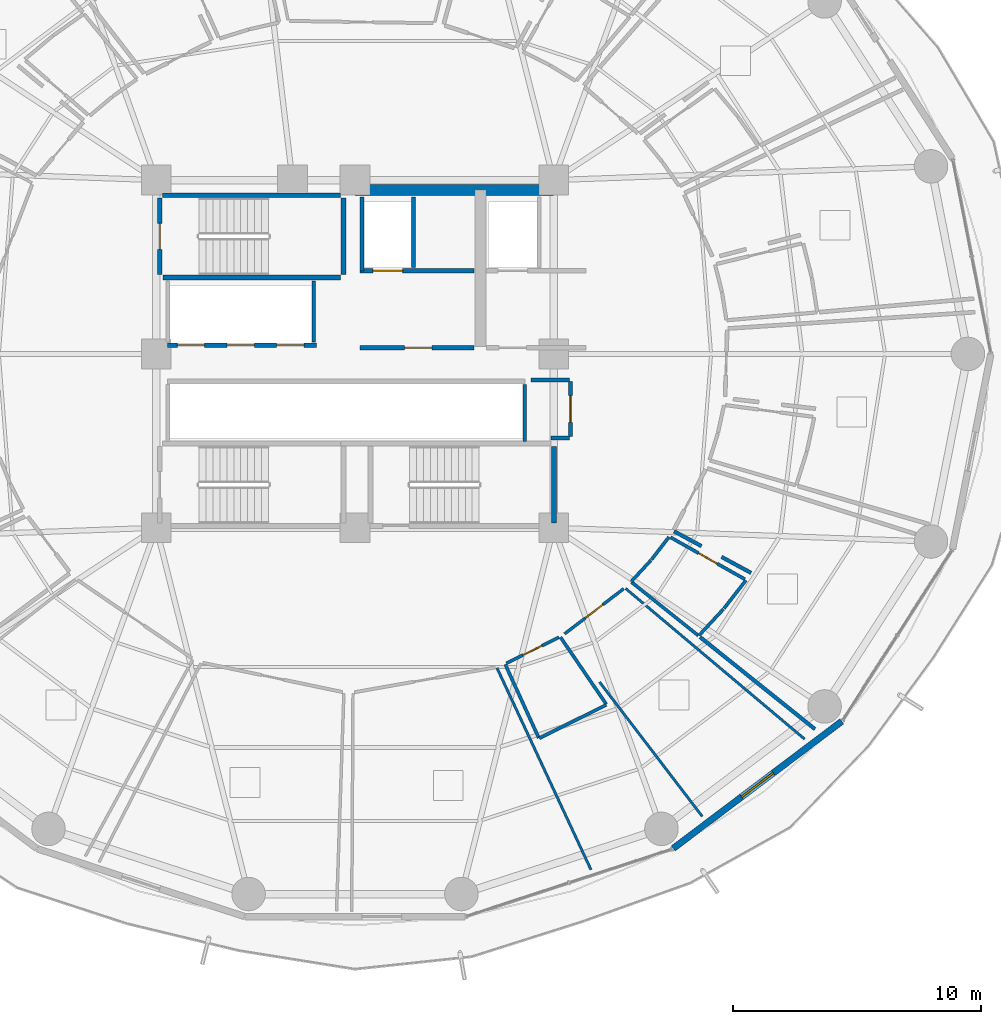
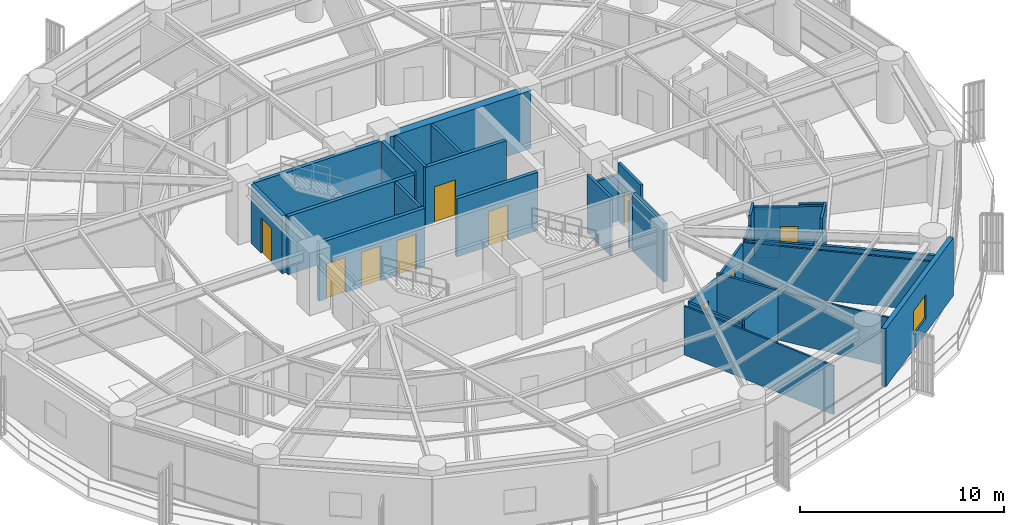
# One storey, part 29 of 36: 34 walls, 10 doors, 1 window, 11 openings.
"""IFC4 building model written with IfcOpenShell, lengths in metres."""

from ifc_helpers import new_model, si_unit, direction, frame, frame_2d, origin, place, context, subcontext, project, spatial, rectangle, extrude, material, layer, layer_set, type_object, element, fill, save


model = new_model("IFC4")

# Units and contexts
model_context = context("Model", 3, precision=1e-05, world=origin(), true_north=direction((0.0, 1.0)))
body_context = subcontext(model_context, "Body", "Model", "MODEL_VIEW")
ifc_project = project(units=[si_unit("LENGTHUNIT", "METRE"), si_unit("AREAUNIT", "SQUARE_METRE"), si_unit("VOLUMEUNIT", "CUBIC_METRE"), si_unit("PLANEANGLEUNIT", "RADIAN"), si_unit("MASSUNIT", "GRAM", prefix="KILO")], contexts=[model_context])

# Site, building, storey
site_placement = place(None, origin())
site = spatial("IfcSite", under=ifc_project, at=site_placement, CompositionType="ELEMENT")
building_placement = place(site_placement, origin())
building = spatial("IfcBuilding", under=site, at=building_placement, Name="Kelanora Arch Commons", CompositionType="ELEMENT")
storey_placement = place(building_placement, frame((0.0, 0.0, 102.60009765625)))
storey = spatial("IfcBuildingStorey", under=building, at=storey_placement, Name="L26", CompositionType="ELEMENT", Elevation=102.60009765625)

# Walls
ifc_material_1 = material(Name="Autoclaved aerated concrete blockwork with fire plaster", Category="masonry")
ifc_layer_1 = layer(ifc_material_1, 0.14990234375)
ifc_layer_set_1 = layer_set([ifc_layer_1], Name="Autoclaved aerated concrete blockwork with fire plaster")
wall_type_1 = type_object("IfcWallType", Name="W-COMP-150", PredefinedType="PARTITIONING", material=ifc_layer_set_1)
wall_1_placement = place(storey_placement, frame((74.280029296875, 61.35009765625, 0.0), z_axis=(0.0, 0.0, 1.0), x_axis=(0.0, 1.0, 0.0)))
element("IfcWall", 1, at=wall_1_placement, inside=storey, type_object=wall_type_1, Name="Firefighting Lift 1 West Shaft Wall L26", PredefinedType="PARTITIONING", context=body_context, shape_type="SweptSolid", body=[
    extrude(rectangle(XDim=2.969970703125, YDim=0.14990234375, at=frame_2d((1.48486328125, 0.0))), origin(), (0.0, 0.0, 1.0), 3.47998046875),
])
wall_2_placement = place(storey_placement, frame((76.360107421875, 61.47998046875, 0.0), z_axis=(0.0, 0.0, 1.0), x_axis=(0.0, 1.0, 0.0)))
element("IfcWall", 2, at=wall_2_placement, inside=storey, type_object=wall_type_1, Name="Firefighting Lift 1 East Shaft Wall L26", PredefinedType="PARTITIONING", context=body_context, shape_type="SweptSolid", body=[
    extrude(rectangle(XDim=2.840087890625, YDim=0.14990234375, at=frame_2d((1.419921875, 0.0))), origin(), (0.0, 0.0, 1.0), 3.47998046875),
])
wall_3_placement = place(storey_placement, frame((72.340087890625, 58.47998046875, 0.0), z_axis=(0.0, 0.0, 1.0), x_axis=(0.0, 1.0, 0.0)))
element("IfcWall", 3, at=wall_3_placement, inside=storey, type_object=wall_type_1, Name="Low-Rise Lift Bank East Wall L26", PredefinedType="PARTITIONING", context=body_context, shape_type="SweptSolid", body=[
    extrude(rectangle(XDim=2.4599609375, YDim=0.14990234375, at=frame_2d((1.22998046875, 0.0))), origin(), (0.0, 0.0, 1.0), 3.47998046875),
])
wall_4_placement = place(storey_placement, frame((80.840087890625, 54.47998046875, 0.0), z_axis=(0.0, 0.0, 1.0), x_axis=(0.0, 1.0, 0.0)))
element("IfcWall", 4, at=wall_4_placement, inside=storey, type_object=wall_type_1, Name="South Lift Bank East Wall L26", PredefinedType="PARTITIONING", context=body_context, shape_type="SweptSolid", body=[
    extrude(rectangle(XDim=2.2900390625, YDim=0.14990234375, at=frame_2d((1.14501953125, 0.0))), origin(), (0.0, 0.0, 1.0), 3.47998046875),
])

# Wall, opening, door
wall_5_placement = place(storey_placement, frame((82.679931640625, 54.679931640625, 0.0), z_axis=(0.0, 0.0, 1.0), x_axis=(0.0, 1.0, 0.0)))
wall_5 = element("IfcWall", 5, at=wall_5_placement, inside=storey, type_object=wall_type_1, Name="Core Housekeeping Store L26 Entry Partition", PredefinedType="PARTITIONING", context=body_context, shape_type="SweptSolid", body=[
    extrude(rectangle(XDim=2.2099609375, YDim=0.14990234375, at=frame_2d((1.10498046875, 0.0))), origin(), (0.0, 0.0, 1.0), 3.47998046875),
])
opening_1_placement = place(wall_5_placement, frame((0.56494140625, 0.0, 0.0)))
opening_1 = element("IfcOpeningElement", 6, at=opening_1_placement, cuts=wall_5, Name="Opening D-PLT1", PredefinedType="OPENING", context=body_context, shape_type="SweptSolid", body=[
    extrude(rectangle(XDim=1.080078125, YDim=2.10009765625, at=frame_2d((0.5400390625, 1.050048828125))), frame((0.0, 0.0849609375, 0.0), z_axis=(0.0, -1.0, 0.0), x_axis=(1.0, 0.0, 0.0)), (0.0, 0.0, 1.0), 0.169921875),
])
ifc_material_2 = material(Name="Galvanised steel plant and riser fire door", Category="steel")
door_type_1 = type_object("IfcDoorType", Name="D-PLT-110", OperationType="NOTDEFINED", PredefinedType="DOOR", material=ifc_material_2)
door_1_placement = place(opening_1_placement, origin())
door_1 = element("IfcDoor", 7, at=door_1_placement, inside=storey, type_object=door_type_1, Name="Core Housekeeping Store L26 Door", OperationType="SINGLE_SWING_RIGHT", OverallHeight=2.10009765625, OverallWidth=1.080078125, PredefinedType="DOOR", context=body_context, shape_type="SweptSolid", body=[
    extrude(rectangle(XDim=1.080078125, YDim=2.10009765625, at=frame_2d((0.5400390625, 1.050048828125))), frame((0.0, 0.02490234375, 0.0), z_axis=(0.0, -1.0, 0.0), x_axis=(1.0, 0.0, 0.0)), (0.0, 0.0, 1.0), 0.050048828125),
])
fill(opening_1, door_1)

# Walls
wall_6_placement = place(storey_placement, frame((81.89990234375, 54.6201171875, 0.0), z_axis=(0.0, 0.0, 1.0), x_axis=(1.0, 0.0, 0.0)))
element("IfcWall", 8, at=wall_6_placement, inside=storey, type_object=wall_type_1, Name="Core Housekeeping Store L26 Enclosure Partition 1", PredefinedType="PARTITIONING", context=body_context, shape_type="SweptSolid", body=[
    extrude(rectangle(XDim=0.739990234375, YDim=0.14990234375, at=frame_2d((0.3701171875, 0.0))), origin(), (0.0, 0.0, 1.0), 2.77490234375),
])
wall_7_placement = place(storey_placement, frame((82.639892578125, 56.949951171875, 0.0), z_axis=(0.0, 0.0, 1.0), x_axis=(-1.0, 0.0, 0.0)))
element("IfcWall", 9, at=wall_7_placement, inside=storey, type_object=wall_type_1, Name="Core Housekeeping Store L26 Enclosure Partition 3", PredefinedType="PARTITIONING", context=body_context, shape_type="SweptSolid", body=[
    extrude(rectangle(XDim=1.5498046875, YDim=0.14990234375, at=frame_2d((0.77490234375, 0.0))), origin(), (0.0, 0.0, 1.0), 2.77490234375),
])
wall_8_placement = place(storey_placement, frame((92.518798828125, 42.89599609375, 0.0), z_axis=(0.0, 0.0, 1.0), x_axis=(-0.780422060226, 0.625253075093, 0.0)))
element("IfcWall", 10, at=wall_8_placement, inside=storey, type_object=wall_type_1, Name="Co-Living Studio L26-14 Enclosure Partition 5", PredefinedType="PARTITIONING", context=body_context, shape_type="SweptSolid", body=[
    extrude(rectangle(XDim=5.920654296875, YDim=0.14990234375, at=frame_2d((2.96044921875, 0.0))), origin(), (0.0, 0.0, 1.0), 2.974853515625),
])
wall_9_placement = place(storey_placement, frame((89.94873046875, 49.18505859375, 0.0), z_axis=(0.0, 0.0, 1.0), x_axis=(-0.879994582466, 0.474983720595, 0.0)))
element("IfcWall", 11, at=wall_9_placement, inside=storey, type_object=wall_type_1, Name="Co-Living Studio L26-14 Enclosure Partition 7", PredefinedType="PARTITIONING", context=body_context, shape_type="SweptSolid", body=[
    extrude(rectangle(XDim=1.350341796875, YDim=0.14990234375, at=frame_2d((0.67529296875, 0.0))), origin(), (0.0, 0.0, 1.0), 3.1748046875),
])
wall_10_placement = place(storey_placement, frame((87.95068359375, 50.263427734375, 0.0), z_axis=(0.0, 0.0, 1.0), x_axis=(-0.880026054437, 0.474925408367, 0.0)))
element("IfcWall", 12, at=wall_10_placement, inside=storey, type_object=wall_type_1, Name="Co-Living Studio L26-14 Enclosure Partition 7", PredefinedType="PARTITIONING", context=body_context, shape_type="SweptSolid", body=[
    extrude(rectangle(XDim=1.251708984375, YDim=0.14990234375, at=frame_2d((0.6259765625, 0.0))), origin(), (0.0, 0.0, 1.0), 2.9248046875),
])
ifc_material_3 = material(Name="Concrete C60/75", Category="concrete")
ifc_layer_2 = layer(ifc_material_3, 0.449951171875)
ifc_layer_set_2 = layer_set([ifc_layer_2], Name="Concrete C60/75")
wall_type_2 = type_object("IfcWallType", Name="W-CORE-450", PredefinedType="SHEAR", material=ifc_layer_set_2)
wall_11_placement = place(storey_placement, frame((74.0, 64.60009765625, 0.0), z_axis=(0.0, 0.0, 1.0), x_axis=(1.0, 0.0, 0.0)))
element("IfcWall", 13, at=wall_11_placement, inside=storey, type_object=wall_type_2, Name="Core Shear Spine L26-CN-E", PredefinedType="SHEAR", context=body_context, shape_type="SweptSolid", body=[
    extrude(rectangle(XDim=8.0, YDim=0.449951171875, at=frame_2d((4.0, 0.0))), origin(), (0.0, 0.0, 1.0), 3.489990234375),
])

# Wall, opening, window
ifc_material_4 = material(Name="Precast concrete C40/50 with terracotta rainscreen", Category="masonry")
ifc_layer_3 = layer(ifc_material_4, 0.260009765625)
ifc_layer_set_3 = layer_set([ifc_layer_3], Name="Precast concrete C40/50 with terracotta rainscreen")
wall_type_3 = type_object("IfcWallType", Name="W-EXT-TC", PredefinedType="SOLIDWALL", material=ifc_layer_set_3)
wall_12_placement = place(storey_placement, frame((86.81201171875, 38.09033203125, 0.0), z_axis=(0.0, 0.0, 1.0), x_axis=(0.798501507879, 0.601992808857, 0.0)))
wall_12 = element("IfcWall", 14, at=wall_12_placement, inside=storey, type_object=wall_type_3, Name="Terracotta Exterior Wall L26-B15", PredefinedType="SOLIDWALL", context=body_context, shape_type="SweptSolid", body=[
    extrude(rectangle(XDim=8.499267578125, YDim=0.260009765625, at=frame_2d((4.24951171875, 0.0))), origin(), (0.0, 0.0, 1.0), 3.474853515625),
])
opening_2_placement = place(wall_12_placement, frame((3.449951171875, 0.0, 0.85009765625)))
opening_2 = element("IfcOpeningElement", 15, at=opening_2_placement, cuts=wall_12, Name="Opening WN-01", PredefinedType="OPENING", context=body_context, shape_type="SweptSolid", body=[
    extrude(rectangle(XDim=1.60009765625, YDim=1.449951171875, at=frame_2d((0.800048828125, 0.72509765625))), frame((0.0, 0.14013671875, 0.0), z_axis=(0.0, -1.0, 0.0), x_axis=(1.0, 0.0, 0.0)), (0.0, 0.0, 1.0), 0.280029296875),
])
ifc_material_5 = material(Name="Terracotta-anodised aluminium frame with operable low-E glazing", Category="masonry")
window_type = type_object("IfcWindowType", Name="WIN-CL-18", PartitioningType="DOUBLE_PANEL_VERTICAL", PredefinedType="WINDOW", material=ifc_material_5)
window_placement = place(opening_2_placement, origin())
window = element("IfcWindow", 16, at=window_placement, inside=storey, type_object=window_type, Name="Co-Living Operable Window L26-B15", OverallHeight=1.449951171875, OverallWidth=1.60009765625, PartitioningType="SINGLE_PANEL", PredefinedType="WINDOW", context=body_context, shape_type="SweptSolid", body=[
    extrude(rectangle(XDim=1.60009765625, YDim=1.449951171875, at=frame_2d((0.800048828125, 0.72509765625))), frame((0.0, 0.030029296875, 0.0), z_axis=(0.0, -1.0, 0.0), x_axis=(1.0, 0.0, 0.0)), (0.0, 0.0, 1.0), 0.06005859375),
])
fill(opening_2, window)

# Wall, opening, door
ifc_material_6 = material(Name="Concrete C40/50", Category="concrete")
ifc_layer_4 = layer(ifc_material_6, 0.199951171875)
ifc_layer_set_4 = layer_set([ifc_layer_4], Name="Concrete C40/50")
wall_type_4 = type_object("IfcWallType", Name="W-FFL-200", PredefinedType="SOLIDWALL", material=ifc_layer_set_4)
wall_13_placement = place(storey_placement, frame((74.199951171875, 61.35009765625, 0.0), z_axis=(0.0, 0.0, 1.0), x_axis=(1.0, 0.0, 0.0)))
wall_13 = element("IfcWall", 17, at=wall_13_placement, inside=storey, type_object=wall_type_4, Name="Firefighting Lift 1 Shaft Front L26", PredefinedType="SOLIDWALL", context=body_context, shape_type="SweptSolid", body=[
    extrude(rectangle(XDim=4.60009765625, YDim=0.199951171875, at=frame_2d((2.300048828125, 0.0))), origin(), (0.0, 0.0, 1.0), 3.47998046875),
])
opening_3_placement = place(wall_13_placement, frame((0.52001953125, 0.0, 0.0)))
opening_3 = element("IfcOpeningElement", 18, at=opening_3_placement, cuts=wall_13, Name="Opening LD-FF", PredefinedType="OPENING", context=body_context, shape_type="SweptSolid", body=[
    extrude(rectangle(XDim=1.199951171875, YDim=2.14990234375, at=frame_2d((0.60009765625, 1.074951171875))), frame((0.0, 0.10986328125, 0.0), z_axis=(0.0, -1.0, 0.0), x_axis=(1.0, 0.0, 0.0)), (0.0, 0.0, 1.0), 0.219970703125),
])
ifc_material_7 = material(Name="Fire-rated firefighters lift sliding landing door")
door_type_2 = type_object("IfcDoorType", Name="D-LIFT-FF", OperationType="NOTDEFINED", PredefinedType="DOOR", material=ifc_material_7)
door_2_placement = place(opening_3_placement, origin())
door_2 = element("IfcDoor", 19, at=door_2_placement, inside=storey, type_object=door_type_2, Name="Firefighting Lift LF-FF1 Landing Door L26", OperationType="DOUBLE_DOOR_SLIDING", OverallHeight=2.14990234375, OverallWidth=1.199951171875, PredefinedType="DOOR", context=body_context, shape_type="SweptSolid", body=[
    extrude(rectangle(XDim=1.199951171875, YDim=2.14990234375, at=frame_2d((0.60009765625, 1.074951171875))), frame((0.0, 0.02490234375, 0.0), z_axis=(0.0, -1.0, 0.0), x_axis=(1.0, 0.0, 0.0)), (0.0, 0.0, 1.0), 0.050048828125),
])
fill(opening_3, door_2)

wall_14_placement = place(storey_placement, frame((74.199951171875, 58.25, 0.0), z_axis=(0.0, 0.0, 1.0), x_axis=(1.0, 0.0, 0.0)))
wall_14 = element("IfcWall", 20, at=wall_14_placement, inside=storey, type_object=wall_type_4, Name="Firefighting Lobby 1 Enclosure Wall L26", PredefinedType="SOLIDWALL", context=body_context, shape_type="SweptSolid", body=[
    extrude(rectangle(XDim=4.60009765625, YDim=0.199951171875, at=frame_2d((2.300048828125, 0.0))), origin(), (0.0, 0.0, 1.0), 3.47998046875),
])
opening_4_placement = place(wall_14_placement, frame((1.800048828125, 0.0, 0.0)))
opening_4 = element("IfcOpeningElement", 21, at=opening_4_placement, cuts=wall_14, Name="Opening D-FFL1", PredefinedType="OPENING", context=body_context, shape_type="SweptSolid", body=[
    extrude(rectangle(XDim=1.10009765625, YDim=2.10009765625, at=frame_2d((0.550048828125, 1.050048828125))), frame((0.0, 0.10986328125, 0.0), z_axis=(0.0, -1.0, 0.0), x_axis=(1.0, 0.0, 0.0)), (0.0, 0.0, 1.0), 0.219970703125),
])
ifc_material_8 = material(Name="Smoke-sealed firefighting lobby fire door")
door_type_3 = type_object("IfcDoorType", Name="D-FFL-110", OperationType="NOTDEFINED", PredefinedType="DOOR", material=ifc_material_8)
door_3_placement = place(opening_4_placement, frame((1.10009765625, 0.0, 0.0), z_axis=(0.0, 0.0, 1.0), x_axis=(-1.0, 0.0, 0.0)))
door_3 = element("IfcDoor", 22, at=door_3_placement, inside=storey, type_object=door_type_3, Name="Firefighting Lobby 1 Door L26", OperationType="SINGLE_SWING_LEFT", OverallHeight=2.10009765625, OverallWidth=1.10009765625, PredefinedType="DOOR", context=body_context, shape_type="SweptSolid", body=[
    extrude(rectangle(XDim=1.10009765625, YDim=2.10009765625, at=frame_2d((0.550048828125, 1.050048828125))), frame((0.0, 0.02490234375, 0.0), z_axis=(0.0, -1.0, 0.0), x_axis=(1.0, 0.0, 0.0)), (0.0, 0.0, 1.0), 0.050048828125),
])
fill(opening_4, door_3)

# Wall, openings, doors
wall_15_placement = place(storey_placement, frame((66.449951171875, 58.35009765625, 0.0), z_axis=(0.0, 0.0, 1.0), x_axis=(1.0, 0.0, 0.0)))
wall_15 = element("IfcWall", 23, at=wall_15_placement, inside=storey, type_object=wall_type_4, Name="Low-Rise Passenger Lift Shaft Front L26", PredefinedType="SOLIDWALL", context=body_context, shape_type="SweptSolid", body=[
    extrude(rectangle(XDim=6.0, YDim=0.199951171875, at=frame_2d((3.0, 0.0))), origin(), (0.0, 0.0, 1.0), 3.47998046875),
])
opening_5_placement = place(wall_15_placement, frame((0.39990234375, 0.0, 0.0)))
opening_5 = element("IfcOpeningElement", 24, at=opening_5_placement, cuts=wall_15, Name="Opening LD-01", PredefinedType="OPENING", context=body_context, shape_type="SweptSolid", body=[
    extrude(rectangle(XDim=1.10009765625, YDim=2.10009765625, at=frame_2d((0.550048828125, 1.050048828125))), frame((0.0, 0.10986328125, 0.0), z_axis=(0.0, -1.0, 0.0), x_axis=(1.0, 0.0, 0.0)), (0.0, 0.0, 1.0), 0.219970703125),
])
opening_6_placement = place(wall_15_placement, frame((2.39990234375, 0.0, 0.0)))
opening_6 = element("IfcOpeningElement", 25, at=opening_6_placement, cuts=wall_15, Name="Opening LD-01", PredefinedType="OPENING", context=body_context, shape_type="SweptSolid", body=[
    extrude(rectangle(XDim=1.10009765625, YDim=2.10009765625, at=frame_2d((0.550048828125, 1.050048828125))), frame((0.0, 0.10986328125, 0.0), z_axis=(0.0, -1.0, 0.0), x_axis=(1.0, 0.0, 0.0)), (0.0, 0.0, 1.0), 0.219970703125),
])
opening_7_placement = place(wall_15_placement, frame((4.39990234375, 0.0, 0.0)))
opening_7 = element("IfcOpeningElement", 26, at=opening_7_placement, cuts=wall_15, Name="Opening LD-01", PredefinedType="OPENING", context=body_context, shape_type="SweptSolid", body=[
    extrude(rectangle(XDim=1.10009765625, YDim=2.10009765625, at=frame_2d((0.550048828125, 1.050048828125))), frame((0.0, 0.10986328125, 0.0), z_axis=(0.0, -1.0, 0.0), x_axis=(1.0, 0.0, 0.0)), (0.0, 0.0, 1.0), 0.219970703125),
])
ifc_material_9 = material(Name="Stainless steel passenger lift sliding landing door", Category="steel")
door_type_4 = type_object("IfcDoorType", Name="D-LIFT-110", OperationType="NOTDEFINED", PredefinedType="DOOR", material=ifc_material_9)
door_4_placement = place(opening_5_placement, origin())
door_4 = element("IfcDoor", 27, at=door_4_placement, inside=storey, type_object=door_type_4, Name="Passenger Lift LF-P1 Landing Door L26", OperationType="DOUBLE_DOOR_SLIDING", OverallHeight=2.10009765625, OverallWidth=1.10009765625, PredefinedType="DOOR", context=body_context, shape_type="SweptSolid", body=[
    extrude(rectangle(XDim=1.10009765625, YDim=2.10009765625, at=frame_2d((0.550048828125, 1.050048828125))), frame((0.0, 0.02490234375, 0.0), z_axis=(0.0, -1.0, 0.0), x_axis=(1.0, 0.0, 0.0)), (0.0, 0.0, 1.0), 0.050048828125),
])
fill(opening_5, door_4)
door_5_placement = place(opening_6_placement, origin())
door_5 = element("IfcDoor", 28, at=door_5_placement, inside=storey, type_object=door_type_4, Name="Passenger Lift LF-P2 Landing Door L26", OperationType="DOUBLE_DOOR_SLIDING", OverallHeight=2.10009765625, OverallWidth=1.10009765625, PredefinedType="DOOR", context=body_context, shape_type="SweptSolid", body=[
    extrude(rectangle(XDim=1.10009765625, YDim=2.10009765625, at=frame_2d((0.550048828125, 1.050048828125))), frame((0.0, 0.02490234375, 0.0), z_axis=(0.0, -1.0, 0.0), x_axis=(1.0, 0.0, 0.0)), (0.0, 0.0, 1.0), 0.050048828125),
])
fill(opening_6, door_5)
door_6_placement = place(opening_7_placement, origin())
door_6 = element("IfcDoor", 29, at=door_6_placement, inside=storey, type_object=door_type_4, Name="Passenger Lift LF-P3 Landing Door L26", OperationType="DOUBLE_DOOR_SLIDING", OverallHeight=2.10009765625, OverallWidth=1.10009765625, PredefinedType="DOOR", context=body_context, shape_type="SweptSolid", body=[
    extrude(rectangle(XDim=1.10009765625, YDim=2.10009765625, at=frame_2d((0.550048828125, 1.050048828125))), frame((0.0, 0.02490234375, 0.0), z_axis=(0.0, -1.0, 0.0), x_axis=(1.0, 0.0, 0.0)), (0.0, 0.0, 1.0), 0.050048828125),
])
fill(opening_7, door_6)

# Walls
ifc_material_10 = material(Name="Lightweight fire-rated acoustic stud partition")
ifc_layer_5 = layer(ifc_material_10, 0.10009765625)
ifc_layer_set_5 = layer_set([ifc_layer_5], Name="Lightweight fire-rated acoustic stud partition")
wall_type_5 = type_object("IfcWallType", Name="W-PART-100", PredefinedType="PARTITIONING", material=ifc_layer_set_5)
wall_16_placement = place(storey_placement, frame((79.719970703125, 45.352783203125, 0.0), z_axis=(0.0, 0.0, 1.0), x_axis=(0.422225492456, -0.906490834769, 0.0)))
element("IfcWall", 30, at=wall_16_placement, inside=storey, type_object=wall_type_5, Name="Quiet Seminar Study Room L26-12 Enclosure Partition 2", PredefinedType="PARTITIONING", context=body_context, shape_type="SweptSolid", body=[
    extrude(rectangle(XDim=8.95263671875, YDim=0.10009765625, at=frame_2d((4.476318359375, 0.0))), origin(), (0.0, 0.0, 1.0), 2.9248046875),
])
wall_17_placement = place(storey_placement, frame((84.896484375, 48.55712890625, 0.0), z_axis=(0.0, 0.0, 1.0), x_axis=(0.765171343651, -0.64382669629, 0.0)))
element("IfcWall", 31, at=wall_17_placement, inside=storey, type_object=wall_type_5, Name="Tutorial Study Alcove L26-13 Enclosure Partition 2", PredefinedType="PARTITIONING", context=body_context, shape_type="SweptSolid", body=[
    extrude(rectangle(XDim=9.416015625, YDim=0.10009765625, at=frame_2d((4.7080078125, 0.0))), origin(), (0.0, 0.0, 1.0), 2.974853515625),
])
wall_18_placement = place(storey_placement, frame((87.979736328125, 39.3828125, 0.0), z_axis=(0.0, 0.0, 1.0), x_axis=(-0.607281003039, 0.794487119687, 0.0)))
element("IfcWall", 32, at=wall_18_placement, inside=storey, type_object=wall_type_5, Name="Tutorial Study Alcove L26-13 Enclosure Partition 4", PredefinedType="PARTITIONING", context=body_context, shape_type="SweptSolid", body=[
    extrude(rectangle(XDim=6.80615234375, YDim=0.10009765625, at=frame_2d((3.403076171875, 0.0))), origin(), (0.0, 0.0, 1.0), 2.9248046875),
])

# Wall, opening, door
ifc_material_11 = material(Name="Acoustic twin-stud fire-rated gypsum partition")
ifc_layer_6 = layer(ifc_material_11, 0.1201171875)
ifc_layer_set_6 = layer_set([ifc_layer_6], Name="Acoustic twin-stud fire-rated gypsum partition")
wall_type_6 = type_object("IfcWallType", Name="W-PART-120", PredefinedType="PARTITIONING", material=ifc_layer_set_6)
wall_19_placement = place(storey_placement, frame((82.439697265625, 46.7294921875, 0.0), z_axis=(0.0, 0.0, 1.0), x_axis=(0.794654066843, 0.607062528945, 0.0)))
wall_19 = element("IfcWall", 33, at=wall_19_placement, inside=storey, type_object=wall_type_6, Name="Tutorial Study Alcove L26-13 Entry Partition", PredefinedType="PARTITIONING", context=body_context, shape_type="SweptSolid", body=[
    extrude(rectangle(XDim=2.993408203125, YDim=0.1201171875, at=frame_2d((1.49658203125, 0.0))), origin(), (0.0, 0.0, 1.0), 2.9248046875),
])
opening_8_placement = place(wall_19_placement, frame((1.047119140625, 0.0, 0.0)))
opening_8 = element("IfcOpeningElement", 34, at=opening_8_placement, cuts=wall_19, Name="Opening D-RM1", PredefinedType="OPENING", context=body_context, shape_type="SweptSolid", body=[
    extrude(rectangle(XDim=0.89990234375, YDim=2.080078125, at=frame_2d((0.449951171875, 1.0400390625))), frame((0.0, 0.070068359375, 0.0), z_axis=(0.0, -1.0, 0.0), x_axis=(1.0, 0.0, 0.0)), (0.0, 0.0, 1.0), 0.14013671875),
])
ifc_material_12 = material(Name="Acoustic fire-rated timber study and lounge door", Category="wood")
door_type_5 = type_object("IfcDoorType", Name="D-ROOM-90", OperationType="NOTDEFINED", PredefinedType="DOOR", material=ifc_material_12)
door_7_placement = place(opening_8_placement, origin())
door_7 = element("IfcDoor", 35, at=door_7_placement, inside=storey, type_object=door_type_5, Name="Tutorial Study Alcove L26-13 Door", OperationType="SINGLE_SWING_RIGHT", OverallHeight=2.080078125, OverallWidth=0.89990234375, PredefinedType="DOOR", context=body_context, shape_type="SweptSolid", body=[
    extrude(rectangle(XDim=0.89990234375, YDim=2.080078125, at=frame_2d((0.449951171875, 1.0400390625))), frame((0.0, 0.02490234375, 0.0), z_axis=(0.0, -1.0, 0.0), x_axis=(1.0, 0.0, 0.0)), (0.0, 0.0, 1.0), 0.050048828125),
])
fill(opening_8, door_7)

# Walls
ifc_layer_7 = layer(ifc_material_6, 0.199951171875)
ifc_layer_set_7 = layer_set([ifc_layer_7], Name="Concrete C40/50")
wall_type_7 = type_object("IfcWallType", Name="W-STAIR-200", PredefinedType="SHEAR", material=ifc_layer_set_7)
wall_20_placement = place(storey_placement, frame((66.260009765625, 61.080078125, 0.0), z_axis=(0.0, 0.0, 1.0), x_axis=(1.0, 0.0, 0.0)))
element("IfcWall", 36, at=wall_20_placement, inside=storey, type_object=wall_type_7, Name="Stair ST-T1 Shaft Wall S L26", PredefinedType="SHEAR", context=body_context, shape_type="SweptSolid", body=[
    extrude(rectangle(XDim=7.159912109375, YDim=0.199951171875, at=frame_2d((3.580078125, 0.0))), origin(), (0.0, 0.0, 1.0), 3.489990234375),
])
wall_21_placement = place(storey_placement, frame((73.5400390625, 61.199951171875, 0.0), z_axis=(0.0, 0.0, 1.0), x_axis=(0.0, 1.0, 0.0)))
element("IfcWall", 37, at=wall_21_placement, inside=storey, type_object=wall_type_7, Name="Stair ST-T1 Shaft Wall E L26", PredefinedType="SHEAR", context=body_context, shape_type="SweptSolid", body=[
    extrude(rectangle(XDim=3.070068359375, YDim=0.199951171875, at=frame_2d((1.53515625, 0.0))), origin(), (0.0, 0.0, 1.0), 3.489990234375),
])
wall_22_placement = place(storey_placement, frame((73.419921875, 64.389892578125, 0.0), z_axis=(0.0, 0.0, 1.0), x_axis=(-1.0, 0.0, 0.0)))
element("IfcWall", 38, at=wall_22_placement, inside=storey, type_object=wall_type_7, Name="Stair ST-T1 Shaft Wall N L26", PredefinedType="SHEAR", context=body_context, shape_type="SweptSolid", body=[
    extrude(rectangle(XDim=7.159912109375, YDim=0.199951171875, at=frame_2d((3.580078125, 0.0))), origin(), (0.0, 0.0, 1.0), 3.489990234375),
])

# Wall, opening, door
wall_23_placement = place(storey_placement, frame((66.139892578125, 64.27001953125, 0.0), z_axis=(0.0, 0.0, 1.0), x_axis=(0.0, -1.0, 0.0)))
wall_23 = element("IfcWall", 39, at=wall_23_placement, inside=storey, type_object=wall_type_7, Name="Stair ST-T1 Shaft Wall W L26", PredefinedType="SHEAR", context=body_context, shape_type="SweptSolid", body=[
    extrude(rectangle(XDim=3.070068359375, YDim=0.199951171875, at=frame_2d((1.53515625, 0.0))), origin(), (0.0, 0.0, 1.0), 3.489990234375),
])
opening_9_placement = place(wall_23_placement, frame((1.010009765625, 0.0, 0.0)))
opening_9 = element("IfcOpeningElement", 40, at=opening_9_placement, cuts=wall_23, Name="Opening D-ST1", PredefinedType="OPENING", context=body_context, shape_type="SweptSolid", body=[
    extrude(rectangle(XDim=1.050048828125, YDim=2.10009765625, at=frame_2d((0.52490234375, 1.050048828125))), frame((0.0, 0.10986328125, 0.0), z_axis=(0.0, -1.0, 0.0), x_axis=(1.0, 0.0, 0.0)), (0.0, 0.0, 1.0), 0.219970703125),
])
ifc_material_13 = material(Name="Steel fire-rated stairwell escape door", Category="steel")
door_type_6 = type_object("IfcDoorType", Name="D-STAIR-110", OperationType="NOTDEFINED", PredefinedType="DOOR", material=ifc_material_13)
door_8_placement = place(opening_9_placement, origin())
door_8 = element("IfcDoor", 41, at=door_8_placement, inside=storey, type_object=door_type_6, Name="Stair ST-T1 Escape Door L26", OperationType="SINGLE_SWING_LEFT", OverallHeight=2.10009765625, OverallWidth=1.050048828125, PredefinedType="DOOR", context=body_context, shape_type="SweptSolid", body=[
    extrude(rectangle(XDim=1.050048828125, YDim=2.10009765625, at=frame_2d((0.52490234375, 1.050048828125))), frame((0.0, 0.02490234375, 0.0), z_axis=(0.0, -1.0, 0.0), x_axis=(1.0, 0.0, 0.0)), (0.0, 0.0, 1.0), 0.050048828125),
])
fill(opening_9, door_8)

# Wall
wall_24_placement = place(storey_placement, frame((82.02001953125, 51.199951171875, 0.0), z_axis=(0.0, 0.0, 1.0), x_axis=(0.0, 1.0, 0.0)))
element("IfcWall", 42, at=wall_24_placement, inside=storey, type_object=wall_type_7, Name="Stair ST-T2 Shaft Wall E L26", PredefinedType="SHEAR", context=body_context, shape_type="SweptSolid", body=[
    extrude(rectangle(XDim=3.070068359375, YDim=0.199951171875, at=frame_2d((1.53515625, 0.0))), origin(), (0.0, 0.0, 1.0), 3.489990234375),
])

# Wall, opening, door
ifc_material_14 = material(Name="Moisture-resistant fire-rated cement-board plumbing wall")
ifc_layer_8 = layer(ifc_material_14, 0.1298828125)
ifc_layer_set_8 = layer_set([ifc_layer_8], Name="Moisture-resistant fire-rated cement-board plumbing wall")
wall_type_8 = type_object("IfcWallType", Name="W-WET-120", PredefinedType="PLUMBINGWALL", material=ifc_layer_set_8)
wall_25_placement = place(storey_placement, frame((80.0947265625, 45.54638671875, 0.0), z_axis=(0.0, 0.0, 1.0), x_axis=(0.897003770221, 0.442022891046, 0.0)))
wall_25 = element("IfcWall", 43, at=wall_25_placement, inside=storey, type_object=wall_type_8, Name="Accessible Shared Floor WC L26-13 Entry Partition", PredefinedType="PLUMBINGWALL", context=body_context, shape_type="SweptSolid", body=[
    extrude(rectangle(XDim=2.355224609375, YDim=0.1298828125, at=frame_2d((1.177734375, 0.0))), origin(), (0.0, 0.0, 1.0), 2.9248046875),
])
opening_10_placement = place(wall_25_placement, frame((0.7470703125, 0.0, 0.0)))
opening_10 = element("IfcOpeningElement", 44, at=opening_10_placement, cuts=wall_25, Name="Opening D-BT1", PredefinedType="OPENING", context=body_context, shape_type="SweptSolid", body=[
    extrude(rectangle(XDim=0.860107421875, YDim=2.050048828125, at=frame_2d((0.43017578125, 1.02490234375))), frame((0.0, 0.074951171875, 0.0), z_axis=(0.0, -1.0, 0.0), x_axis=(1.0, 0.0, 0.0)), (0.0, 0.0, 1.0), 0.14990234375),
])
ifc_material_15 = material(Name="Moisture-sealed fire-rated accessible bathroom door")
door_type_7 = type_object("IfcDoorType", Name="D-BATH-85", OperationType="NOTDEFINED", PredefinedType="DOOR", material=ifc_material_15)
door_9_placement = place(opening_10_placement, origin())
door_9 = element("IfcDoor", 45, at=door_9_placement, inside=storey, type_object=door_type_7, Name="Accessible Shared Floor WC L26-13 Door", OperationType="SINGLE_SWING_LEFT", OverallHeight=2.050048828125, OverallWidth=0.860107421875, PredefinedType="DOOR", context=body_context, shape_type="SweptSolid", body=[
    extrude(rectangle(XDim=0.860107421875, YDim=2.050048828125, at=frame_2d((0.43017578125, 1.02490234375))), frame((0.0, 0.02490234375, 0.0), z_axis=(0.0, -1.0, 0.0), x_axis=(1.0, 0.0, 0.0)), (0.0, 0.0, 1.0), 0.050048828125),
])
fill(opening_10, door_9)

wall_26_placement = place(storey_placement, frame((86.706298828125, 50.615478515625, 0.0), z_axis=(0.0, 0.0, 1.0), x_axis=(0.871227933134, -0.490878690236, 0.0)))
wall_26 = element("IfcWall", 46, at=wall_26_placement, inside=storey, type_object=wall_type_8, Name="En-Suite Shower WC L26-14 Entry Partition", PredefinedType="PLUMBINGWALL", context=body_context, shape_type="SweptSolid", body=[
    extrude(rectangle(XDim=3.434814453125, YDim=0.1298828125, at=frame_2d((1.71728515625, 0.0))), origin(), (0.0, 0.0, 1.0), 3.23486328125),
])
opening_11_placement = place(wall_26_placement, frame((1.287109375, 0.0, 0.0)))
opening_11 = element("IfcOpeningElement", 47, at=opening_11_placement, cuts=wall_26, Name="Opening D-BT1", PredefinedType="OPENING", context=body_context, shape_type="SweptSolid", body=[
    extrude(rectangle(XDim=0.860107421875, YDim=2.050048828125, at=frame_2d((0.43017578125, 1.02490234375))), frame((0.0, 0.074951171875, 0.0), z_axis=(0.0, -1.0, 0.0), x_axis=(1.0, 0.0, 0.0)), (0.0, 0.0, 1.0), 0.14990234375),
])
door_10_placement = place(opening_11_placement, origin())
door_10 = element("IfcDoor", 48, at=door_10_placement, inside=storey, type_object=door_type_7, Name="En-Suite Shower WC L26-14 Door", OperationType="SINGLE_SWING_LEFT", OverallHeight=2.050048828125, OverallWidth=0.860107421875, PredefinedType="DOOR", context=body_context, shape_type="SweptSolid", body=[
    extrude(rectangle(XDim=0.860107421875, YDim=2.050048828125, at=frame_2d((0.43017578125, 1.02490234375))), frame((0.0, 0.02490234375, 0.0), z_axis=(0.0, -1.0, 0.0), x_axis=(1.0, 0.0, 0.0)), (0.0, 0.0, 1.0), 0.050048828125),
])
fill(opening_11, door_10)

# Walls
wall_27_placement = place(storey_placement, frame((82.272216796875, 46.597412109375, 0.0), z_axis=(0.0, 0.0, 1.0), x_axis=(0.56421847533, -0.825625527764, 0.0)))
element("IfcWall", 49, at=wall_27_placement, inside=storey, type_object=wall_type_8, Name="Accessible Shared Floor WC L26-13 Enclosure Partition 2", PredefinedType="PLUMBINGWALL", context=body_context, shape_type="SweptSolid", body=[
    extrude(rectangle(XDim=3.2724609375, YDim=0.1298828125, at=frame_2d((1.63623046875, 0.0))), origin(), (0.0, 0.0, 1.0), 3.23486328125),
])
wall_28_placement = place(storey_placement, frame((84.112060546875, 43.8701171875, 0.0), z_axis=(0.0, 0.0, 1.0), x_axis=(-0.89496337821, -0.446139610059, 0.0)))
element("IfcWall", 50, at=wall_28_placement, inside=storey, type_object=wall_type_8, Name="Accessible Shared Floor WC L26-13 Enclosure Partition 3", PredefinedType="PLUMBINGWALL", context=body_context, shape_type="SweptSolid", body=[
    extrude(rectangle(XDim=3.00146484375, YDim=0.1298828125, at=frame_2d((1.500732421875, 0.0))), origin(), (0.0, 0.0, 1.0), 3.1748046875),
])
wall_29_placement = place(storey_placement, frame((81.399658203125, 42.540283203125, 0.0), z_axis=(0.0, 0.0, 1.0), x_axis=(-0.414882082756, 0.909875187819, 0.0)))
element("IfcWall", 51, at=wall_29_placement, inside=storey, type_object=wall_type_8, Name="Accessible Shared Floor WC L26-13 Enclosure Partition 4", PredefinedType="PLUMBINGWALL", context=body_context, shape_type="SweptSolid", body=[
    extrude(rectangle(XDim=3.254638671875, YDim=0.1298828125, at=frame_2d((1.62744140625, 0.0))), origin(), (0.0, 0.0, 1.0), 2.9248046875),
])
wall_30_placement = place(storey_placement, frame((85.130615234375, 48.841796875, 0.0), z_axis=(0.0, 0.0, 1.0), x_axis=(0.677595961293, 0.73543437045, 0.0)))
element("IfcWall", 52, at=wall_30_placement, inside=storey, type_object=wall_type_8, Name="En-Suite Shower WC L26-14 Enclosure Partition 1", PredefinedType="PLUMBINGWALL", context=body_context, shape_type="SweptSolid", body=[
    extrude(rectangle(XDim=1.156494140625, YDim=0.1298828125, at=frame_2d((0.578125, 0.0))), origin(), (0.0, 0.0, 1.0), 2.9248046875),
])
wall_31_placement = place(storey_placement, frame((85.940185546875, 49.722900390625, 0.0), z_axis=(0.0, 0.0, 1.0), x_axis=(0.61219897041, 0.790703750231, 0.0)))
element("IfcWall", 53, at=wall_31_placement, inside=storey, type_object=wall_type_8, Name="En-Suite Shower WC L26-14 Enclosure Partition 2", PredefinedType="PLUMBINGWALL", context=body_context, shape_type="SweptSolid", body=[
    extrude(rectangle(XDim=1.146240234375, YDim=0.1298828125, at=frame_2d((0.5732421875, 0.0))), origin(), (0.0, 0.0, 1.0), 3.47998046875),
])
wall_32_placement = place(storey_placement, frame((89.73876953125, 48.88427734375, 0.0), z_axis=(0.0, 0.0, 1.0), x_axis=(-0.614790089133, -0.788690779903, 0.0)))
element("IfcWall", 54, at=wall_32_placement, inside=storey, type_object=wall_type_8, Name="En-Suite Shower WC L26-14 Enclosure Partition 4", PredefinedType="PLUMBINGWALL", context=body_context, shape_type="SweptSolid", body=[
    extrude(rectangle(XDim=1.431884765625, YDim=0.1298828125, at=frame_2d((0.7158203125, 0.0))), origin(), (0.0, 0.0, 1.0), 3.47998046875),
])
wall_33_placement = place(storey_placement, frame((88.83251953125, 47.724365234375, 0.0), z_axis=(0.0, 0.0, 1.0), x_axis=(-0.679724752717, -0.733467286621, 0.0)))
element("IfcWall", 55, at=wall_33_placement, inside=storey, type_object=wall_type_8, Name="En-Suite Shower WC L26-14 Enclosure Partition 5", PredefinedType="PLUMBINGWALL", context=body_context, shape_type="SweptSolid", body=[
    extrude(rectangle(XDim=1.444580078125, YDim=0.1298828125, at=frame_2d((0.72216796875, 0.0))), origin(), (0.0, 0.0, 1.0), 2.9248046875),
])
wall_34_placement = place(storey_placement, frame((87.8212890625, 46.66259765625, 0.0), z_axis=(0.0, 0.0, 1.0), x_axis=(-0.780744298962, 0.624850653868, 0.0)))
element("IfcWall", 56, at=wall_34_placement, inside=storey, type_object=wall_type_8, Name="En-Suite Shower WC L26-14 Enclosure Partition 6", PredefinedType="PLUMBINGWALL", context=body_context, shape_type="SweptSolid", body=[
    extrude(rectangle(XDim=3.44384765625, YDim=0.1298828125, at=frame_2d((1.721923828125, 0.0))), origin(), (0.0, 0.0, 1.0), 2.9248046875),
])

save(model, "model.ifc")
